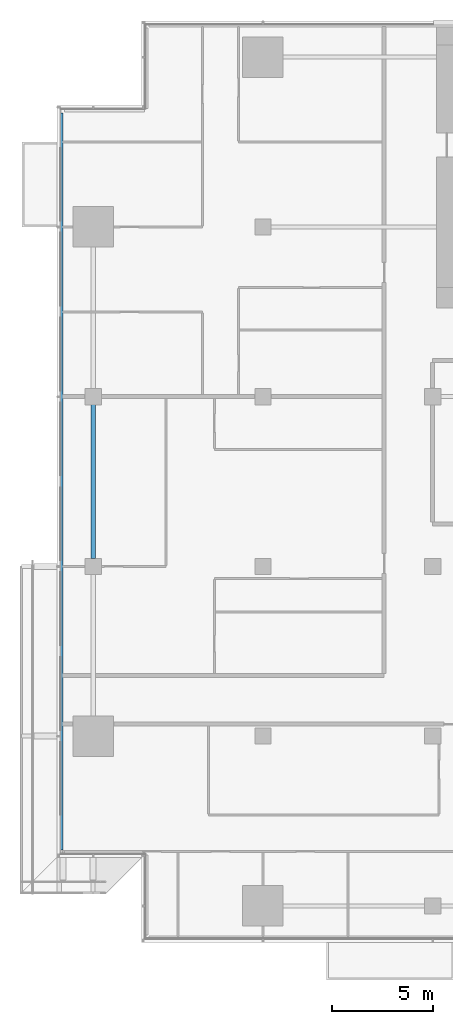
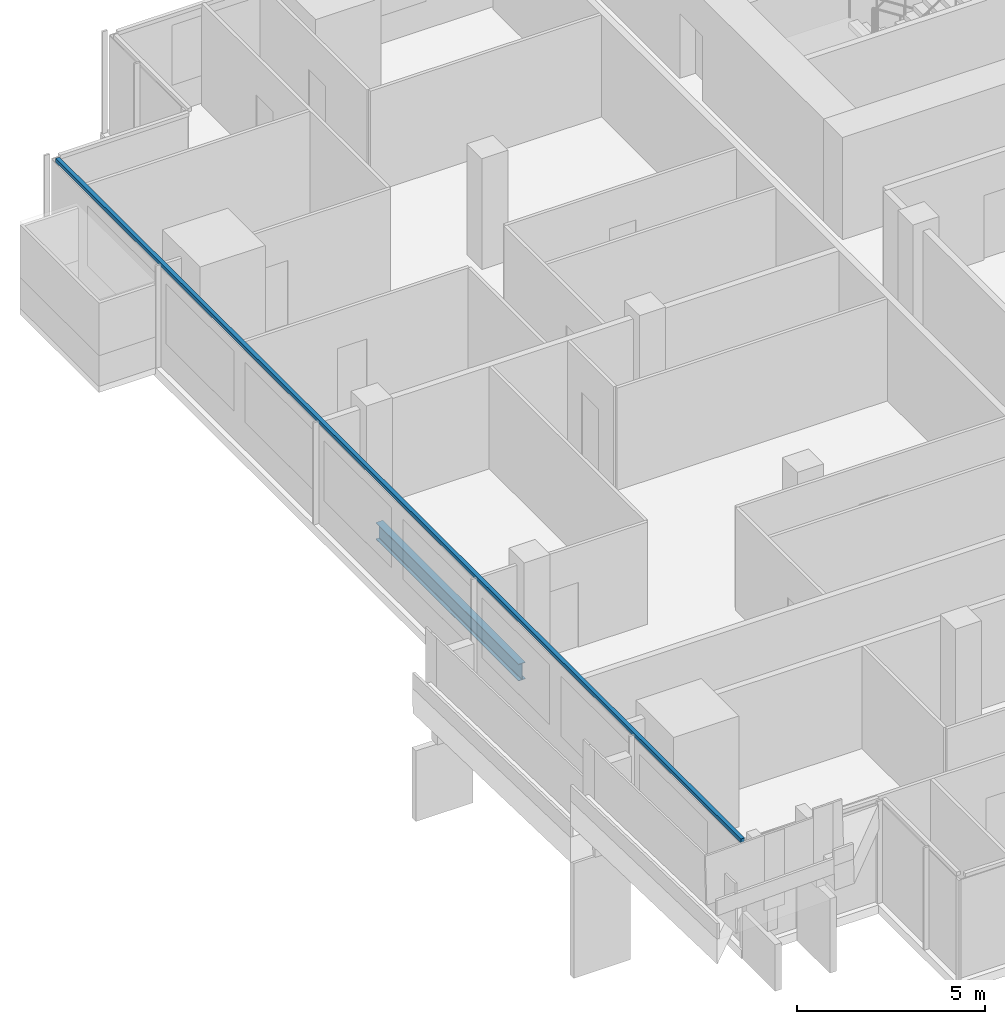
# One storey, part 3 of 29: 1 beam, 1 member, 1 element without a shape of its own.
"""IFC4 building model written with IfcOpenShell, lengths in metres."""

from ifc_helpers import new_model, si_unit, direction, frame, origin, origin_2d, place, context, subcontext, project, spatial, rectangle, i_section, extrude, material, material_profile, profile_set, type_object, element, aggregate, save


model = new_model("IFC4")

# Units and contexts
model_context = context("Model", 3, precision=1e-05, world=origin(), true_north=direction((0.0, 1.0)))
body_context = subcontext(model_context, "Body", "Model", "MODEL_VIEW")
ifc_project = project(units=[si_unit("LENGTHUNIT", "METRE"), si_unit("AREAUNIT", "SQUARE_METRE"), si_unit("VOLUMEUNIT", "CUBIC_METRE"), si_unit("PLANEANGLEUNIT", "RADIAN"), si_unit("MASSUNIT", "GRAM", prefix="KILO")], contexts=[model_context])

# Site, building, storey
site_placement = place(None, origin())
site = spatial("IfcSite", under=ifc_project, at=site_placement, CompositionType="ELEMENT")
building_placement = place(site_placement, origin())
building = spatial("IfcBuilding", under=site, at=building_placement, Name="Saffron Gate Tower", CompositionType="ELEMENT")
storey_placement = place(building_placement, frame((0.0, 0.0, 113.25)))
storey = spatial("IfcBuildingStorey", under=building, at=storey_placement, Name="L26", CompositionType="ELEMENT", Elevation=113.25)

# Beam
ifc_material_1 = material(Name="Structural steel S355", Category="steel")
ifc_material_profile_1 = material_profile(ifc_material_1, i_section(OverallWidth=0.2099609375, OverallDepth=0.550048828125, WebThickness=0.010986328125, FlangeThickness=0.01708984375, FilletRadius=0.02392578125, at=origin_2d()))
ifc_profile_set_1 = profile_set([ifc_material_profile_1], Name="Structural steel S355")
beam_type = type_object("IfcBeamType", Name="B13 IPE 550", PredefinedType="SPANDREL", material=ifc_profile_set_1)
beam_placement = place(storey_placement, frame((49.800048828125, 49.0, -0.554931640625), z_axis=(0.0, 1.0, 0.0), x_axis=(-1.0, 0.0, 0.0)))
element("IfcBeam", 1, at=beam_placement, inside=storey, type_object=beam_type, Name="B13 SPANDREL BEAM", PredefinedType="SPANDREL", context=body_context, shape_type="SweptSolid", body=[
    extrude(i_section(OverallWidth=0.2099609375, OverallDepth=0.550048828125, WebThickness=0.010986328125, FlangeThickness=0.01708984375, FilletRadius=0.02392578125, at=origin_2d()), origin(), (0.0, 0.0, 1.0), 7.60009765625),
])

# Curtain wall, member
ifc_material_2 = material(Name="Aluminium, bronze anodised", Category="aluminium")
curtain_wall_type = type_object("IfcCurtainWallType", Name="CWS2 curtain wall side facades", PredefinedType="NOTDEFINED", material=ifc_material_2)
curtain_wall_placement = place(storey_placement, origin())
curtain_wall = element("IfcCurtainWall", 2, at=curtain_wall_placement, inside=storey, type_object=curtain_wall_type, Name="CWS2 run 10", PredefinedType="NOTDEFINED")
ifc_material_profile_2 = material_profile(ifc_material_2, rectangle(XDim=0.1201171875, YDim=0.1201171875, at=origin_2d()))
ifc_profile_set_2 = profile_set([ifc_material_profile_2], Name="Aluminium, bronze anodised")
member_type = type_object("IfcMemberType", Name="CWS2 head transom", PredefinedType="USERDEFINED", material=ifc_profile_set_2)
member_placement = place(storey_placement, frame((48.248046875, 71.031982421875, 3.260009765625), z_axis=(0.0, -1.0, 0.0), x_axis=(1.0, 0.0, 0.0)))
member = element("IfcMember", 3, at=member_placement, type_object=member_type, Name="CWS2 head transom", ObjectType="TRANSOM", PredefinedType="USERDEFINED", context=body_context, shape_type="SweptSolid", body=[
    extrude(rectangle(XDim=0.1201171875, YDim=0.1201171875, at=origin_2d()), origin(), (0.0, 0.0, 1.0), 36.4638671875),
])
aggregate(curtain_wall, [member])

save(model, "model.ifc")
